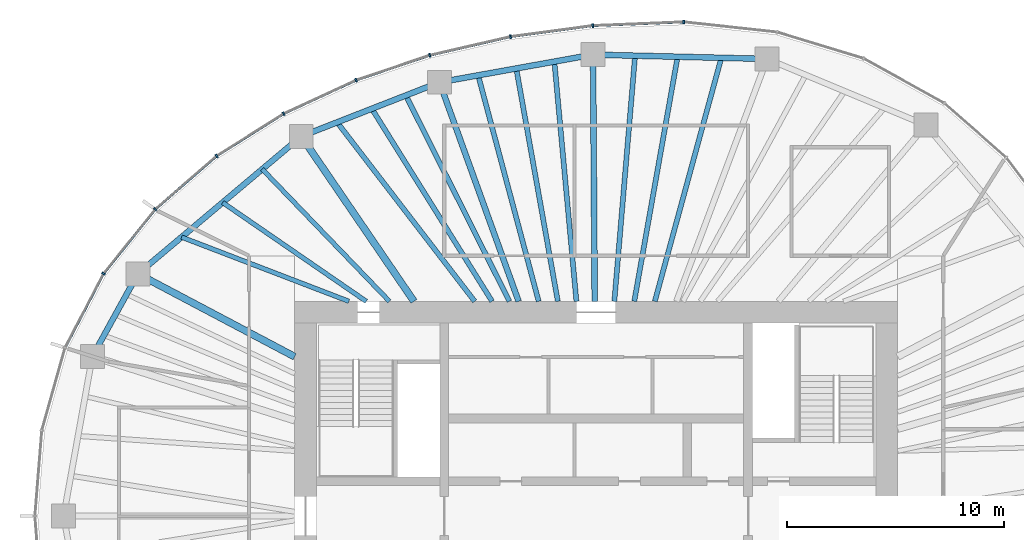
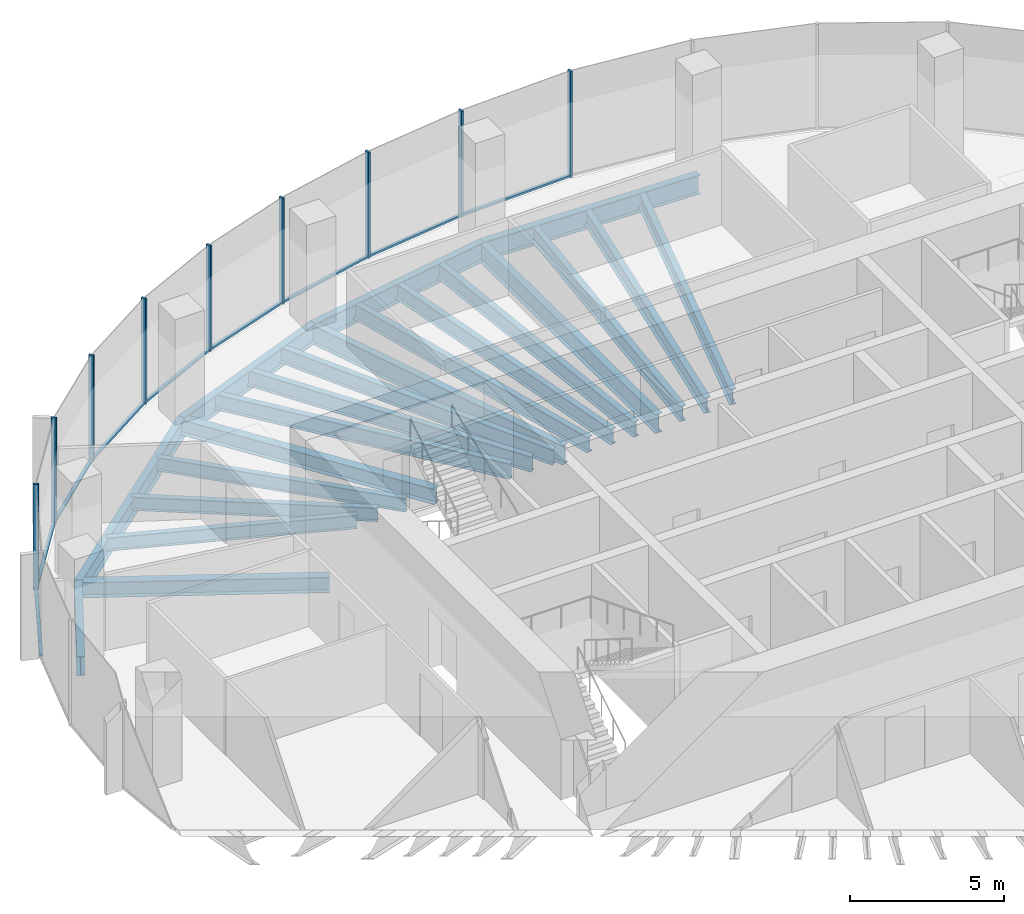
# One storey, part 5 of 11: 21 beams, 18 members, 5 elements without a shape of their own.
"""IFC4 building model written with IfcOpenShell, lengths in metres."""

from ifc_helpers import new_model, si_unit, direction, frame, origin, origin_2d, place, context, subcontext, project, spatial, rectangle, i_section, extrude, material, material_profile, profile_set, type_object, element, aggregate, save


model = new_model("IFC4")

# Units and contexts
model_context = context("Model", 3, precision=1e-05, world=origin(), true_north=direction((0.0, 1.0)))
body_context = subcontext(model_context, "Body", "Model", "MODEL_VIEW")
ifc_project = project(units=[si_unit("LENGTHUNIT", "METRE"), si_unit("AREAUNIT", "SQUARE_METRE"), si_unit("VOLUMEUNIT", "CUBIC_METRE"), si_unit("PLANEANGLEUNIT", "RADIAN"), si_unit("MASSUNIT", "GRAM", prefix="KILO")], contexts=[model_context])

# Site, building, storey
site_placement = place(None, origin())
site = spatial("IfcSite", under=ifc_project, at=site_placement, CompositionType="ELEMENT")
building_placement = place(site_placement, origin())
building = spatial("IfcBuilding", under=site, at=building_placement, Name="Ghaith Harvest Tower", CompositionType="ELEMENT")
storey_placement = place(building_placement, frame((0.0, 0.0, 288.0)))
storey = spatial("IfcBuildingStorey", under=building, at=storey_placement, Name="L64", CompositionType="ELEMENT", Elevation=288.0)

# Curtain wall, member
ifc_material_1 = material(Name="Black anodised aluminium and fritted glass", Category="aluminium")
curtain_wall_type = type_object("IfcCurtainWallType", Name="CW-T CURTAIN WALL", PredefinedType="NOTDEFINED", material=ifc_material_1)
curtain_wall_1_placement = place(storey_placement, origin())
curtain_wall_1 = element("IfcCurtainWall", 1, at=curtain_wall_1_placement, inside=storey, type_object=curtain_wall_type, Name="Curtain wall CW-T bay 05 L64", PredefinedType="NOTDEFINED")
ifc_material_2 = material(Name="Aluminium, black anodised", Category="aluminium")
ifc_material_profile_1 = material_profile(ifc_material_2, rectangle(XDim=0.080078125, YDim=0.179931640625, at=origin_2d()), Name="CW-T MULLION 80x180")
ifc_profile_set_1 = profile_set([ifc_material_profile_1], Name="Aluminium, black anodised")
member_type_1 = type_object("IfcMemberType", Name="CW-T MULLION 80x180", PredefinedType="MULLION", material=ifc_profile_set_1)
member_1_placement = place(storey_placement, frame((4.037841796875, 22.776611328125, 0.0), z_axis=(0.0, 0.0, 1.0), x_axis=(-0.999388631236, 0.034962319079, 0.0)))
member_1 = element("IfcMember", 2, at=member_1_placement, type_object=member_type_1, Name="CW-T mullion 2 bay 05 L64", PredefinedType="MULLION", context=body_context, shape_type="SweptSolid", body=[
    extrude(rectangle(XDim=0.080078125, YDim=0.179931640625, at=origin_2d()), origin(), (0.0, 0.0, 1.0), 4.199951171875),
])

# Curtain wall, members
curtain_wall_2_placement = place(storey_placement, origin())
curtain_wall_2 = element("IfcCurtainWall", 3, at=curtain_wall_2_placement, inside=storey, type_object=curtain_wall_type, Name="Curtain wall CW-T bay 06 L64", PredefinedType="NOTDEFINED")
member_2_placement = place(storey_placement, frame((-0.15478515625, 22.60595703125, 0.0), z_axis=(0.0, 0.0, 1.0), x_axis=(-0.996414855482, -0.084601629853, 0.0)))
member_2 = element("IfcMember", 4, at=member_2_placement, type_object=member_type_1, Name="CW-T mullion 1 bay 06 L64", PredefinedType="MULLION", context=body_context, shape_type="SweptSolid", body=[
    extrude(rectangle(XDim=0.080078125, YDim=0.179931640625, at=origin_2d()), origin(), (0.0, 0.0, 1.0), 4.199951171875),
])
member_3_placement = place(storey_placement, frame((-3.946533203125, 22.0986328125, 0.0), z_axis=(0.0, 0.0, 1.0), x_axis=(-0.983843447681, -0.179030920389, 0.0)))
member_3 = element("IfcMember", 5, at=member_3_placement, type_object=member_type_1, Name="CW-T mullion 2 bay 06 L64", PredefinedType="MULLION", context=body_context, shape_type="SweptSolid", body=[
    extrude(rectangle(XDim=0.080078125, YDim=0.179931640625, at=origin_2d()), origin(), (0.0, 0.0, 1.0), 4.199951171875),
])

curtain_wall_3_placement = place(storey_placement, origin())
curtain_wall_3 = element("IfcCurtainWall", 6, at=curtain_wall_3_placement, inside=storey, type_object=curtain_wall_type, Name="Curtain wall CW-T bay 07 L64", PredefinedType="NOTDEFINED")
member_4_placement = place(storey_placement, frame((-7.6708984375, 21.23828125, 0.0), z_axis=(0.0, 0.0, 1.0), x_axis=(-0.962552491436, -0.27109537294, 0.0)))
member_4 = element("IfcMember", 7, at=member_4_placement, type_object=member_type_1, Name="CW-T mullion 1 bay 07 L64", PredefinedType="MULLION", context=body_context, shape_type="SweptSolid", body=[
    extrude(rectangle(XDim=0.080078125, YDim=0.179931640625, at=origin_2d()), origin(), (0.0, 0.0, 1.0), 4.199951171875),
])
member_5_placement = place(storey_placement, frame((-11.0673828125, 20.093017578125, 0.0), z_axis=(0.0, 0.0, 1.0), x_axis=(-0.928624420706, -0.371021138573, 0.0)))
member_5 = element("IfcMember", 8, at=member_5_placement, type_object=member_type_1, Name="CW-T mullion 2 bay 07 L64", PredefinedType="MULLION", context=body_context, shape_type="SweptSolid", body=[
    extrude(rectangle(XDim=0.080078125, YDim=0.179931640625, at=origin_2d()), origin(), (0.0, 0.0, 1.0), 4.199951171875),
])

curtain_wall_4_placement = place(storey_placement, origin())
curtain_wall_4 = element("IfcCurtainWall", 9, at=curtain_wall_4_placement, inside=storey, type_object=curtain_wall_type, Name="Curtain wall CW-T bay 08 L64", PredefinedType="NOTDEFINED")
member_6_placement = place(storey_placement, frame((-14.40478515625, 18.5478515625, 0.0), z_axis=(0.0, 0.0, 1.0), x_axis=(-0.87867173244, -0.477426420101, 0.0)))
member_6 = element("IfcMember", 10, at=member_6_placement, type_object=member_type_1, Name="CW-T mullion 1 bay 08 L64", PredefinedType="MULLION", context=body_context, shape_type="SweptSolid", body=[
    extrude(rectangle(XDim=0.080078125, YDim=0.179931640625, at=origin_2d()), origin(), (0.0, 0.0, 1.0), 4.199951171875),
])
member_7_placement = place(storey_placement, frame((-17.49462890625, 16.600830078125, 0.0), z_axis=(0.0, 0.0, 1.0), x_axis=(-0.802189888678, -0.597068993084, 0.0)))
member_7 = element("IfcMember", 11, at=member_7_placement, type_object=member_type_1, Name="CW-T mullion 2 bay 08 L64", PredefinedType="MULLION", context=body_context, shape_type="SweptSolid", body=[
    extrude(rectangle(XDim=0.080078125, YDim=0.179931640625, at=origin_2d()), origin(), (0.0, 0.0, 1.0), 4.199951171875),
])

curtain_wall_5_placement = place(storey_placement, origin())
curtain_wall_5 = element("IfcCurtainWall", 12, at=curtain_wall_5_placement, inside=storey, type_object=curtain_wall_type, Name="Curtain wall CW-T bay 09 L64", PredefinedType="NOTDEFINED")
member_8_placement = place(storey_placement, frame((-20.324462890625, 14.141845703125, 0.0), z_axis=(0.0, 0.0, 1.0), x_axis=(-0.692826491995, -0.72110432809, 0.0)))
member_8 = element("IfcMember", 13, at=member_8_placement, type_object=member_type_1, Name="CW-T mullion 1 bay 09 L64", PredefinedType="MULLION", context=body_context, shape_type="SweptSolid", body=[
    extrude(rectangle(XDim=0.080078125, YDim=0.179931640625, at=origin_2d()), origin(), (0.0, 0.0, 1.0), 4.199951171875),
])
member_9_placement = place(storey_placement, frame((-22.706298828125, 11.176513671875, 0.0), z_axis=(0.0, 0.0, 1.0), x_axis=(-0.545865412621, -0.837872872997, 0.0)))
member_9 = element("IfcMember", 14, at=member_9_placement, type_object=member_type_1, Name="CW-T mullion 2 bay 09 L64", PredefinedType="MULLION", context=body_context, shape_type="SweptSolid", body=[
    extrude(rectangle(XDim=0.080078125, YDim=0.179931640625, at=origin_2d()), origin(), (0.0, 0.0, 1.0), 4.199951171875),
])

# Member
ifc_material_3 = material(Name="Aluminium, black anodised", Category="aluminium")
ifc_material_profile_2 = material_profile(ifc_material_3, rectangle(XDim=0.1201171875, YDim=0.080078125, at=origin_2d()), Name="CW-T TRANSOM 120x80")
ifc_profile_set_2 = profile_set([ifc_material_profile_2], Name="Aluminium, black anodised")
member_type_2 = type_object("IfcMemberType", Name="CW-T TRANSOM 120x80", PredefinedType="USERDEFINED", material=ifc_profile_set_2)
member_10_placement = place(storey_placement, frame((3.997802734375, 22.77490234375, 0.0400390625), z_axis=(-0.999174207562, -0.040631304968, 0.0), x_axis=(0.040631304968, -0.999174207562, 0.0)))
member_10 = element("IfcMember", 15, at=member_10_placement, type_object=member_type_2, Name="CW-T transom 2 bay 05 L64", ObjectType="TRANSOM", PredefinedType="USERDEFINED", context=body_context, shape_type="SweptSolid", body=[
    extrude(rectangle(XDim=0.1201171875, YDim=0.080078125, at=origin_2d()), origin(), (0.0, 0.0, 1.0), 4.115966796875),
])

aggregate(curtain_wall_1, [member_1, member_10])

member_11_placement = place(storey_placement, frame((-0.1943359375, 22.6005859375, 0.0400390625), z_axis=(-0.99117202259, -0.132582131655, 0.0), x_axis=(0.132582131655, -0.99117202259, 0.0)))
member_11 = element("IfcMember", 16, at=member_11_placement, type_object=member_type_2, Name="CW-T transom 1 bay 06 L64", ObjectType="TRANSOM", PredefinedType="USERDEFINED", context=body_context, shape_type="SweptSolid", body=[
    extrude(rectangle(XDim=0.1201171875, YDim=0.080078125, at=origin_2d()), origin(), (0.0, 0.0, 1.0), 3.745361328125),
])

member_12_placement = place(storey_placement, frame((-3.9853515625, 22.089599609375, 0.0400390625), z_axis=(-0.974344997799, -0.225059603803, 0.0), x_axis=(0.225059603803, -0.974344997799, 0.0)))
member_12 = element("IfcMember", 17, at=member_12_placement, type_object=member_type_2, Name="CW-T transom 2 bay 06 L64", ObjectType="TRANSOM", PredefinedType="USERDEFINED", context=body_context, shape_type="SweptSolid", body=[
    extrude(rectangle(XDim=0.1201171875, YDim=0.080078125, at=origin_2d()), origin(), (0.0, 0.0, 1.0), 3.742431640625),
])

aggregate(curtain_wall_2, [member_2, member_11, member_3, member_12])

member_13_placement = place(storey_placement, frame((-7.708740234375, 21.2255859375, 0.0400390625), z_axis=(-0.9475698206, -0.319548799228, 0.0), x_axis=(0.319548799228, -0.9475698206, 0.0)))
member_13 = element("IfcMember", 18, at=member_13_placement, type_object=member_type_2, Name="CW-T transom 1 bay 07 L64", ObjectType="TRANSOM", PredefinedType="USERDEFINED", context=body_context, shape_type="SweptSolid", body=[
    extrude(rectangle(XDim=0.1201171875, YDim=0.080078125, at=origin_2d()), origin(), (0.0, 0.0, 1.0), 3.504638671875),
])

member_14_placement = place(storey_placement, frame((-11.103759765625, 20.076171875, 0.0400390625), z_axis=(-0.907472177056, -0.420112184862, 0.0), x_axis=(0.420112184862, -0.907472177056, 0.0)))
member_14 = element("IfcMember", 19, at=member_14_placement, type_object=member_type_2, Name="CW-T transom 2 bay 07 L64", ObjectType="TRANSOM", PredefinedType="USERDEFINED", context=body_context, shape_type="SweptSolid", body=[
    extrude(rectangle(XDim=0.1201171875, YDim=0.080078125, at=origin_2d()), origin(), (0.0, 0.0, 1.0), 3.597900390625),
])

aggregate(curtain_wall_3, [member_4, member_13, member_5, member_14])

member_15_placement = place(storey_placement, frame((-14.438720703125, 18.5263671875, 0.0400390625), z_axis=(-0.846053602505, -0.533097835006, 0.0), x_axis=(0.533097835006, -0.846053602505, 0.0)))
member_15 = element("IfcMember", 20, at=member_15_placement, type_object=member_type_2, Name="CW-T transom 1 bay 08 L64", ObjectType="TRANSOM", PredefinedType="USERDEFINED", context=body_context, shape_type="SweptSolid", body=[
    extrude(rectangle(XDim=0.1201171875, YDim=0.080078125, at=origin_2d()), origin(), (0.0, 0.0, 1.0), 3.572021484375),
])

member_16_placement = place(storey_placement, frame((-17.52490234375, 16.574462890625, 0.0400390625), z_axis=(-0.754851889287, -0.65589528527, 0.0), x_axis=(0.65589528527, -0.754851889287, 0.0)))
member_16 = element("IfcMember", 21, at=member_16_placement, type_object=member_type_2, Name="CW-T transom 2 bay 08 L64", ObjectType="TRANSOM", PredefinedType="USERDEFINED", context=body_context, shape_type="SweptSolid", body=[
    extrude(rectangle(XDim=0.1201171875, YDim=0.080078125, at=origin_2d()), origin(), (0.0, 0.0, 1.0), 3.668701171875),
])

aggregate(curtain_wall_4, [member_6, member_15, member_7, member_16])

member_17_placement = place(storey_placement, frame((-20.349365234375, 14.110595703125, 0.0400390625), z_axis=(-0.626253073761, -0.779619835307, 0.0), x_axis=(0.779619835307, -0.626253073761, 0.0)))
member_17 = element("IfcMember", 22, at=member_17_placement, type_object=member_type_2, Name="CW-T transom 1 bay 09 L64", ObjectType="TRANSOM", PredefinedType="USERDEFINED", context=body_context, shape_type="SweptSolid", body=[
    extrude(rectangle(XDim=0.1201171875, YDim=0.080078125, at=origin_2d()), origin(), (0.0, 0.0, 1.0), 3.723388671875),
])

member_18_placement = place(storey_placement, frame((-22.724609375, 11.14111328125, 0.0400390625), z_axis=(-0.461242681347, -0.887274021317, 0.0), x_axis=(0.887274021317, -0.461242681347, 0.0)))
member_18 = element("IfcMember", 23, at=member_18_placement, type_object=member_type_2, Name="CW-T transom 2 bay 09 L64", ObjectType="TRANSOM", PredefinedType="USERDEFINED", context=body_context, shape_type="SweptSolid", body=[
    extrude(rectangle(XDim=0.1201171875, YDim=0.080078125, at=origin_2d()), origin(), (0.0, 0.0, 1.0), 3.77197265625),
])

aggregate(curtain_wall_5, [member_8, member_17, member_9, member_18])

# Beams
ifc_material_4 = material(Name="Steel ASTM A992 Grade 50", Category="steel")
ifc_material_profile_3 = material_profile(ifc_material_4, i_section(OverallWidth=0.26611328125, OverallDepth=0.758056640625, WebThickness=0.013916015625, FlangeThickness=0.019287109375, at=origin_2d()), Name="W760X161")
ifc_profile_set_3 = profile_set([ifc_material_profile_3], Name="Steel ASTM A992 Grade 50")
beam_type_1 = type_object("IfcBeamType", Name="E760-161 W760X161", PredefinedType="SPANDREL", material=ifc_profile_set_3)
beam_1_placement = place(storey_placement, frame((7.8779296875, 21.072021484375, -0.549072265625), z_axis=(-0.999692679676, 0.024790042413, 0.0), x_axis=(-0.024790042413, -0.999692679676, 0.0)))
element("IfcBeam", 24, at=beam_1_placement, inside=storey, type_object=beam_type_1, Name="Edge beam E05 L64", PredefinedType="SPANDREL", context=body_context, shape_type="SweptSolid", body=[
    extrude(i_section(OverallWidth=0.26611328125, OverallDepth=0.758056640625, WebThickness=0.013916015625, FlangeThickness=0.019287109375, at=origin_2d()), origin(), (0.0, 0.0, 1.0), 8.0263671875),
])
beam_2_placement = place(storey_placement, frame((-0.14599609375, 21.27099609375, -0.549072265625), z_axis=(-0.984177047684, -0.177187863051, 0.0), x_axis=(0.177187863051, -0.984177047684, 0.0)))
element("IfcBeam", 25, at=beam_2_placement, inside=storey, type_object=beam_type_1, Name="Edge beam E06 L64", PredefinedType="SPANDREL", context=body_context, shape_type="SweptSolid", body=[
    extrude(i_section(OverallWidth=0.26611328125, OverallDepth=0.758056640625, WebThickness=0.013916015625, FlangeThickness=0.019287109375, at=origin_2d()), origin(), (0.0, 0.0, 1.0), 7.189697265625),
])
beam_3_placement = place(storey_placement, frame((-7.221923828125, 19.9970703125, -0.549072265625), z_axis=(-0.931322768207, -0.364194867371, 0.0), x_axis=(0.364194867371, -0.931322768207, 0.0)))
element("IfcBeam", 26, at=beam_3_placement, inside=storey, type_object=beam_type_1, Name="Edge beam E07 L64", PredefinedType="SPANDREL", context=body_context, shape_type="SweptSolid", body=[
    extrude(i_section(OverallWidth=0.26611328125, OverallDepth=0.758056640625, WebThickness=0.013916015625, FlangeThickness=0.019287109375, at=origin_2d()), origin(), (0.0, 0.0, 1.0), 6.843017578125),
])
beam_4_placement = place(storey_placement, frame((-13.594970703125, 17.5048828125, -0.549072265625), z_axis=(-0.765021818761, -0.64400436087, 0.0), x_axis=(0.64400436087, -0.765021818761, 0.0)))
element("IfcBeam", 27, at=beam_4_placement, inside=storey, type_object=beam_type_1, Name="Edge beam E08 L64", PredefinedType="SPANDREL", context=body_context, shape_type="SweptSolid", body=[
    extrude(i_section(OverallWidth=0.26611328125, OverallDepth=0.758056640625, WebThickness=0.013916015625, FlangeThickness=0.019287109375, at=origin_2d()), origin(), (0.0, 0.0, 1.0), 9.8427734375),
])
beam_5_placement = place(storey_placement, frame((-21.125, 11.166015625, -0.549072265625), z_axis=(-0.482955575345, -0.875644855089, 0.0), x_axis=(0.875644855089, -0.482955575345, 0.0)))
element("IfcBeam", 28, at=beam_5_placement, inside=storey, type_object=beam_type_1, Name="Edge beam E09 L64", PredefinedType="SPANDREL", context=body_context, shape_type="SweptSolid", body=[
    extrude(i_section(OverallWidth=0.26611328125, OverallDepth=0.758056640625, WebThickness=0.013916015625, FlangeThickness=0.019287109375, at=origin_2d()), origin(), (0.0, 0.0, 1.0), 4.346435546875),
])
ifc_material_5 = material(Name="Steel ASTM A992 Grade 50", Category="steel")
ifc_material_profile_4 = material_profile(ifc_material_5, i_section(OverallWidth=0.323974609375, OverallDepth=0.611083984375, WebThickness=0.0126953125, FlangeThickness=0.01904296875, at=origin_2d()), Name="W610X155")
ifc_profile_set_4 = profile_set([ifc_material_profile_4], Name="Steel ASTM A992 Grade 50")
beam_type_2 = type_object("IfcBeamType", Name="G610-155 W610X155", PredefinedType="BEAM", material=ifc_profile_set_4)
beam_6_placement = place(storey_placement, frame((-8.39990234375, 9.89990234375, -0.4755859375), z_axis=(-0.564067018201, 0.825729010619, 0.0), x_axis=(-0.825729010619, -0.564067018201, 0.0)))
element("IfcBeam", 29, at=beam_6_placement, inside=storey, type_object=beam_type_2, Name="Radial girder G08 L64", PredefinedType="BEAM", context=body_context, shape_type="SweptSolid", body=[
    extrude(i_section(OverallWidth=0.323974609375, OverallDepth=0.611083984375, WebThickness=0.0126953125, FlangeThickness=0.01904296875, at=origin_2d()), origin(), (0.0, 0.0, 1.0), 9.2099609375),
])
beam_7_placement = place(storey_placement, frame((-13.89990234375, 7.34716796875, -0.4755859375), z_axis=(-0.88410164037, 0.467294649546, 0.0), x_axis=(-0.467294649546, -0.88410164037, 0.0)))
element("IfcBeam", 30, at=beam_7_placement, inside=storey, type_object=beam_type_2, Name="Radial girder G09 L64", PredefinedType="BEAM", context=body_context, shape_type="SweptSolid", body=[
    extrude(i_section(OverallWidth=0.323974609375, OverallDepth=0.611083984375, WebThickness=0.0126953125, FlangeThickness=0.01904296875, at=origin_2d()), origin(), (0.0, 0.0, 1.0), 8.17236328125),
])
ifc_material_6 = material(Name="Steel ASTM A992 Grade 50", Category="steel")
ifc_material_profile_5 = material_profile(ifc_material_6, i_section(OverallWidth=0.26611328125, OverallDepth=0.758056640625, WebThickness=0.013916015625, FlangeThickness=0.019287109375, at=origin_2d()), Name="W760X161")
ifc_profile_set_5 = profile_set([ifc_material_profile_5], Name="Steel ASTM A992 Grade 50")
beam_type_3 = type_object("IfcBeamType", Name="G760-161 W760X161", PredefinedType="BEAM", material=ifc_profile_set_5)
beam_8_placement = place(storey_placement, frame((-0.06787109375, 9.89990234375, -0.549072265625), z_axis=(-0.00687032909, 0.999976399011, 0.0), x_axis=(-0.999976399011, -0.00687032909, 0.0)))
element("IfcBeam", 31, at=beam_8_placement, inside=storey, type_object=beam_type_3, Name="Radial girder G06 L64", PredefinedType="BEAM", context=body_context, shape_type="SweptSolid", body=[
    extrude(i_section(OverallWidth=0.26611328125, OverallDepth=0.758056640625, WebThickness=0.013916015625, FlangeThickness=0.019287109375, at=origin_2d()), origin(), (0.0, 0.0, 1.0), 11.371337890625),
])
beam_9_placement = place(storey_placement, frame((-3.57568359375, 9.89990234375, -0.549072265625), z_axis=(-0.339647816823, 0.940552688863, 0.0), x_axis=(-0.940552688863, -0.339647816823, 0.0)))
element("IfcBeam", 32, at=beam_9_placement, inside=storey, type_object=beam_type_3, Name="Radial girder G07 L64", PredefinedType="BEAM", context=body_context, shape_type="SweptSolid", body=[
    extrude(i_section(OverallWidth=0.26611328125, OverallDepth=0.758056640625, WebThickness=0.013916015625, FlangeThickness=0.019287109375, at=origin_2d()), origin(), (0.0, 0.0, 1.0), 10.7353515625),
])
ifc_material_7 = material(Name="Steel ASTM A992 Grade 50", Category="steel")
ifc_material_profile_6 = material_profile(ifc_material_7, i_section(OverallWidth=0.2109375, OverallDepth=0.5390625, WebThickness=0.01171875, FlangeThickness=0.018798828125, at=origin_2d()), Name="W530X109")
ifc_profile_set_6 = profile_set([ifc_material_profile_6], Name="Steel ASTM A992 Grade 50")
beam_type_4 = type_object("IfcBeamType", Name="J530-109 W530X109", PredefinedType="JOIST", material=ifc_profile_set_6)
beam_10_placement = place(storey_placement, frame((-9.530517578125, 9.89990234375, -0.439453125), z_axis=(-0.693536238632, 0.720421741554, 0.0), x_axis=(-0.720421741554, -0.693536238632, 0.0)))
element("IfcBeam", 33, at=beam_10_placement, inside=storey, type_object=beam_type_4, Name="Joist J08.1 L64", PredefinedType="JOIST", context=body_context, shape_type="SweptSolid", body=[
    extrude(i_section(OverallWidth=0.2109375, OverallDepth=0.5390625, WebThickness=0.01171875, FlangeThickness=0.018798828125, at=origin_2d()), origin(), (0.0, 0.0, 1.0), 8.4541015625),
])
beam_11_placement = place(storey_placement, frame((-10.60009765625, 9.89990234375, -0.439453125), z_axis=(-0.823778502511, 0.566911791023, 0.0), x_axis=(-0.566911791023, -0.823778502511, 0.0)))
element("IfcBeam", 34, at=beam_11_placement, inside=storey, type_object=beam_type_4, Name="Joist J08.2 L64", PredefinedType="JOIST", context=body_context, shape_type="SweptSolid", body=[
    extrude(i_section(OverallWidth=0.2109375, OverallDepth=0.5390625, WebThickness=0.01171875, FlangeThickness=0.018798828125, at=origin_2d()), origin(), (0.0, 0.0, 1.0), 8.0341796875),
])
beam_12_placement = place(storey_placement, frame((-11.39990234375, 9.89990234375, -0.439453125), z_axis=(-0.933583045329, 0.358361127181, 0.0), x_axis=(-0.358361127181, -0.933583045329, 0.0)))
element("IfcBeam", 35, at=beam_12_placement, inside=storey, type_object=beam_type_4, Name="Joist J08.3 L64", PredefinedType="JOIST", context=body_context, shape_type="SweptSolid", body=[
    extrude(i_section(OverallWidth=0.2109375, OverallDepth=0.5390625, WebThickness=0.01171875, FlangeThickness=0.018798828125, at=origin_2d()), origin(), (0.0, 0.0, 1.0), 8.260986328125),
])
ifc_material_8 = material(Name="Steel ASTM A992 Grade 50", Category="steel")
ifc_material_profile_7 = material_profile(ifc_material_8, i_section(OverallWidth=0.22998046875, OverallDepth=0.616943359375, WebThickness=0.01318359375, FlangeThickness=0.022216796875, at=origin_2d()), Name="W610X140")
ifc_profile_set_7 = profile_set([ifc_material_profile_7], Name="Steel ASTM A992 Grade 50")
beam_type_5 = type_object("IfcBeamType", Name="J610-140 W610X140", PredefinedType="JOIST", material=ifc_profile_set_7)
beam_13_placement = place(storey_placement, frame((2.70361328125, 9.89990234375, -0.478515625), z_axis=(0.263456499314, 0.964671277156, 0.0), x_axis=(-0.964671277156, 0.263456499314, 0.0)))
element("IfcBeam", 36, at=beam_13_placement, inside=storey, type_object=beam_type_5, Name="Joist J05.1 L64", PredefinedType="JOIST", context=body_context, shape_type="SweptSolid", body=[
    extrude(i_section(OverallWidth=0.22998046875, OverallDepth=0.616943359375, WebThickness=0.01318359375, FlangeThickness=0.022216796875, at=origin_2d()), origin(), (0.0, 0.0, 1.0), 11.635498046875),
])
beam_14_placement = place(storey_placement, frame((1.7548828125, 9.89990234375, -0.478515625), z_axis=(0.174562528022, 0.984646090639, 0.0), x_axis=(-0.984646090639, 0.174562528022, 0.0)))
element("IfcBeam", 37, at=beam_14_placement, inside=storey, type_object=beam_type_5, Name="Joist J05.2 L64", PredefinedType="JOIST", context=body_context, shape_type="SweptSolid", body=[
    extrude(i_section(OverallWidth=0.22998046875, OverallDepth=0.616943359375, WebThickness=0.01318359375, FlangeThickness=0.022216796875, at=origin_2d()), origin(), (0.0, 0.0, 1.0), 11.4501953125),
])
beam_15_placement = place(storey_placement, frame((0.836669921875, 9.89990234375, -0.478515625), z_axis=(0.084199386432, 0.996448926601, 0.0), x_axis=(-0.996448926601, 0.084199386432, 0.0)))
element("IfcBeam", 38, at=beam_15_placement, inside=storey, type_object=beam_type_5, Name="Joist J05.3 L64", PredefinedType="JOIST", context=body_context, shape_type="SweptSolid", body=[
    extrude(i_section(OverallWidth=0.22998046875, OverallDepth=0.616943359375, WebThickness=0.01318359375, FlangeThickness=0.022216796875, at=origin_2d()), origin(), (0.0, 0.0, 1.0), 11.36328125),
])
beam_16_placement = place(storey_placement, frame((-0.9111328125, 9.89990234375, -0.478515625), z_axis=(-0.091654473201, 0.995790870385, 0.0), x_axis=(-0.995790870385, -0.091654473201, 0.0)))
element("IfcBeam", 39, at=beam_16_placement, inside=storey, type_object=beam_type_5, Name="Joist J06.1 L64", PredefinedType="JOIST", context=body_context, shape_type="SweptSolid", body=[
    extrude(i_section(OverallWidth=0.22998046875, OverallDepth=0.616943359375, WebThickness=0.01318359375, FlangeThickness=0.022216796875, at=origin_2d()), origin(), (0.0, 0.0, 1.0), 11.096923828125),
])
beam_17_placement = place(storey_placement, frame((-1.76806640625, 9.89990234375, -0.478515625), z_axis=(-0.175789088574, 0.984427852277, 0.0), x_axis=(-0.984427852277, -0.175789088574, 0.0)))
element("IfcBeam", 40, at=beam_17_placement, inside=storey, type_object=beam_type_5, Name="Joist J06.2 L64", PredefinedType="JOIST", context=body_context, shape_type="SweptSolid", body=[
    extrude(i_section(OverallWidth=0.22998046875, OverallDepth=0.616943359375, WebThickness=0.01318359375, FlangeThickness=0.022216796875, at=origin_2d()), origin(), (0.0, 0.0, 1.0), 10.903564453125),
])
beam_18_placement = place(storey_placement, frame((-2.651123046875, 9.89990234375, -0.478515625), z_axis=(-0.258678376387, 0.96596350738, 0.0), x_axis=(-0.96596350738, -0.258678376387, 0.0)))
element("IfcBeam", 41, at=beam_18_placement, inside=storey, type_object=beam_type_5, Name="Joist J06.3 L64", PredefinedType="JOIST", context=body_context, shape_type="SweptSolid", body=[
    extrude(i_section(OverallWidth=0.22998046875, OverallDepth=0.616943359375, WebThickness=0.01318359375, FlangeThickness=0.022216796875, at=origin_2d()), origin(), (0.0, 0.0, 1.0), 10.784912109375),
])
beam_19_placement = place(storey_placement, frame((-4.0, 9.89990234375, -0.478515625), z_axis=(-0.449556131123, 0.893252083664, 0.0), x_axis=(-0.893252083664, -0.449556131123, 0.0)))
element("IfcBeam", 42, at=beam_19_placement, inside=storey, type_object=beam_type_5, Name="Joist J07.1 L64", PredefinedType="JOIST", context=body_context, shape_type="SweptSolid", body=[
    extrude(i_section(OverallWidth=0.22998046875, OverallDepth=0.616943359375, WebThickness=0.01318359375, FlangeThickness=0.022216796875, at=origin_2d()), origin(), (0.0, 0.0, 1.0), 10.62353515625),
])
beam_20_placement = place(storey_placement, frame((-4.800048828125, 9.89990234375, -0.478515625), z_axis=(-0.529596254905, 0.848249849273, 0.0), x_axis=(-0.848249849273, -0.529596254905, 0.0)))
element("IfcBeam", 43, at=beam_20_placement, inside=storey, type_object=beam_type_5, Name="Joist J07.2 L64", PredefinedType="JOIST", context=body_context, shape_type="SweptSolid", body=[
    extrude(i_section(OverallWidth=0.22998046875, OverallDepth=0.616943359375, WebThickness=0.01318359375, FlangeThickness=0.022216796875, at=origin_2d()), origin(), (0.0, 0.0, 1.0), 10.465087890625),
])
beam_21_placement = place(storey_placement, frame((-5.60009765625, 9.89990234375, -0.478515625), z_axis=(-0.609353577926, 0.792898617144, 0.0), x_axis=(-0.792898617144, -0.609353577926, 0.0)))
element("IfcBeam", 44, at=beam_21_placement, inside=storey, type_object=beam_type_5, Name="Joist J07.3 L64", PredefinedType="JOIST", context=body_context, shape_type="SweptSolid", body=[
    extrude(i_section(OverallWidth=0.22998046875, OverallDepth=0.616943359375, WebThickness=0.01318359375, FlangeThickness=0.022216796875, at=origin_2d()), origin(), (0.0, 0.0, 1.0), 10.406982421875),
])

save(model, "model.ifc")
